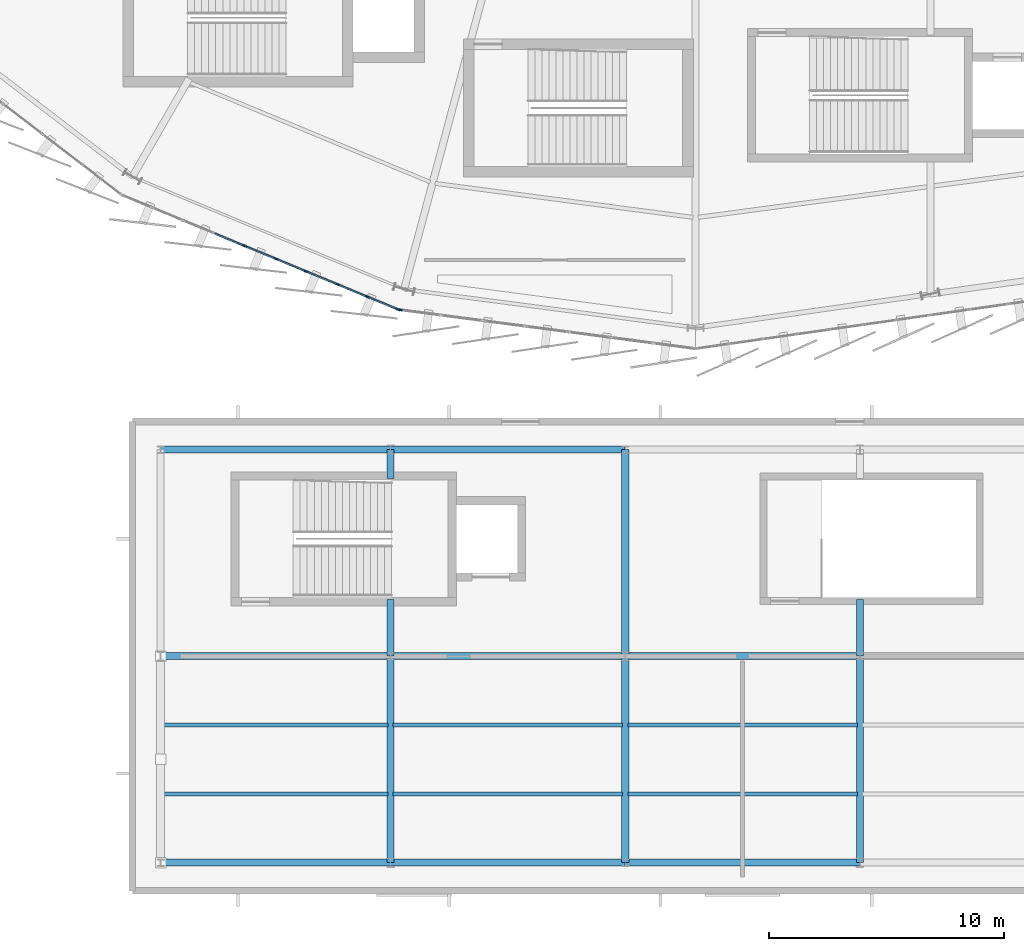
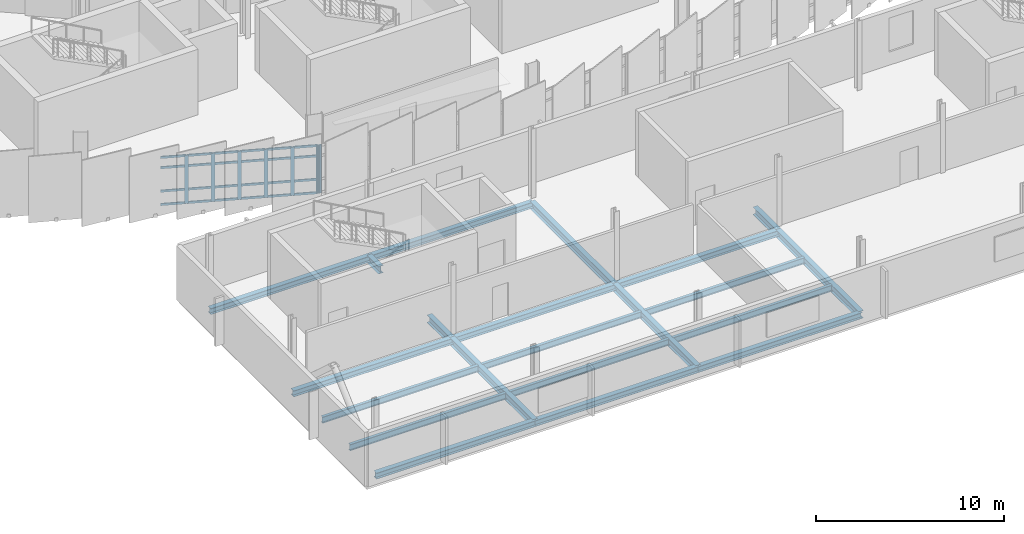
# One storey, part 31 of 120: 31 members, 21 beams, 2 elements without a shape of their own.
"""IFC4 building model written with IfcOpenShell, lengths in metres."""

from ifc_helpers import new_model, si_unit, direction, frame, origin, origin_2d, place, context, subcontext, project, spatial, rectangle, i_section, extrude, material, layer, layer_set, material_profile, profile_set, type_object, element, aggregate, save


model = new_model("IFC4")

# Units and contexts
model_context = context("Model", 3, precision=1e-05, world=origin(), true_north=direction((0.0, 1.0)))
body_context = subcontext(model_context, "Body", "Model", "MODEL_VIEW")
ifc_project = project(units=[si_unit("LENGTHUNIT", "METRE"), si_unit("AREAUNIT", "SQUARE_METRE"), si_unit("VOLUMEUNIT", "CUBIC_METRE"), si_unit("PLANEANGLEUNIT", "RADIAN"), si_unit("MASSUNIT", "GRAM", prefix="KILO")], contexts=[model_context])

# Site, building, storey
site_placement = place(None, origin())
site = spatial("IfcSite", under=ifc_project, at=site_placement, CompositionType="ELEMENT")
building_placement = place(site_placement, origin())
building = spatial("IfcBuilding", under=site, at=building_placement, Name="Sohan Crest Arena", CompositionType="ELEMENT")
storey_placement = place(building_placement, frame((0.0, 0.0, 13.5)))
storey = spatial("IfcBuildingStorey", under=building, at=storey_placement, Name="L03", CompositionType="ELEMENT", Elevation=13.5)

# Curtain wall, members
ifc_material_1 = material(Name="Thermally broken anodised aluminium", Category="aluminium")
ifc_layer_1 = layer(ifc_material_1, 0.18994140625, Name="Thermally broken anodised aluminium")
ifc_layer_set_1 = layer_set([ifc_layer_1], Name="Thermally broken anodised aluminium")
curtain_wall_type_1 = type_object("IfcCurtainWallType", Name="ARC-CW05", PredefinedType="NOTDEFINED", material=ifc_layer_set_1)
curtain_wall_1_placement = place(storey_placement, origin())
curtain_wall_1 = element("IfcCurtainWall", 1, at=curtain_wall_1_placement, inside=storey, type_object=curtain_wall_type_1, Name="Unitised curtain wall CW-088", PredefinedType="NOTDEFINED")
ifc_material_profile_1 = material_profile(ifc_material_1, rectangle(XDim=0.070068359375, YDim=0.199951171875, at=origin_2d()), Name="ALU-MULL 70x200")
ifc_profile_set_1 = profile_set([ifc_material_profile_1], Name="Thermally broken anodised aluminium")
member_type_1 = type_object("IfcMemberType", Name="ARC-CW-ML03", PredefinedType="MULLION", material=ifc_profile_set_1)
member_1_placement = place(storey_placement, frame((78.791748046875, 33.47998046875, 0.0), z_axis=(0.0, 0.0, 1.0), x_axis=(0.382667735827, 0.923886034074, 0.0)))
member_1 = element("IfcMember", 2, at=member_1_placement, type_object=member_type_1, Name="CW-088 mullion 5", PredefinedType="MULLION", context=body_context, shape_type="SweptSolid", body=[
    extrude(rectangle(XDim=0.070068359375, YDim=0.199951171875, at=origin_2d()), origin(), (0.0, 0.0, 1.0), 3.1201171875),
])
member_2_placement = place(storey_placement, frame((80.102294921875, 32.93701171875, 0.0), z_axis=(0.0, 0.0, 1.0), x_axis=(0.382667735827, 0.923886034074, 0.0)))
member_2 = element("IfcMember", 3, at=member_2_placement, type_object=member_type_1, Name="CW-088 mullion 6", PredefinedType="MULLION", context=body_context, shape_type="SweptSolid", body=[
    extrude(rectangle(XDim=0.070068359375, YDim=0.199951171875, at=origin_2d()), origin(), (0.0, 0.0, 1.0), 3.1201171875),
])
member_3_placement = place(storey_placement, frame((81.41259765625, 32.394287109375, 0.0), z_axis=(0.0, 0.0, 1.0), x_axis=(0.382667735827, 0.923886034074, 0.0)))
member_3 = element("IfcMember", 4, at=member_3_placement, type_object=member_type_1, Name="CW-088 mullion 7", PredefinedType="MULLION", context=body_context, shape_type="SweptSolid", body=[
    extrude(rectangle(XDim=0.070068359375, YDim=0.199951171875, at=origin_2d()), origin(), (0.0, 0.0, 1.0), 3.1201171875),
])
member_4_placement = place(storey_placement, frame((82.72314453125, 31.8515625, 0.0), z_axis=(0.0, 0.0, 1.0), x_axis=(0.382667735827, 0.923886034074, 0.0)))
member_4 = element("IfcMember", 5, at=member_4_placement, type_object=member_type_1, Name="CW-088 mullion 8", PredefinedType="MULLION", context=body_context, shape_type="SweptSolid", body=[
    extrude(rectangle(XDim=0.070068359375, YDim=0.199951171875, at=origin_2d()), origin(), (0.0, 0.0, 1.0), 3.1201171875),
])
member_5_placement = place(storey_placement, frame((84.033447265625, 31.308837890625, 0.0), z_axis=(0.0, 0.0, 1.0), x_axis=(0.382667735827, 0.923886034074, 0.0)))
member_5 = element("IfcMember", 6, at=member_5_placement, type_object=member_type_1, Name="CW-088 mullion 9", PredefinedType="MULLION", context=body_context, shape_type="SweptSolid", body=[
    extrude(rectangle(XDim=0.070068359375, YDim=0.199951171875, at=origin_2d()), origin(), (0.0, 0.0, 1.0), 3.1201171875),
])
member_6_placement = place(storey_placement, frame((85.311767578125, 30.779296875, 0.0), z_axis=(0.0, 0.0, 1.0), x_axis=(0.382667735827, 0.923886034074, 0.0)))
member_6 = element("IfcMember", 7, at=member_6_placement, type_object=member_type_1, Name="CW-088 mullion 10", PredefinedType="MULLION", context=body_context, shape_type="SweptSolid", body=[
    extrude(rectangle(XDim=0.070068359375, YDim=0.199951171875, at=origin_2d()), origin(), (0.0, 0.0, 1.0), 3.1201171875),
])

# Curtain wall, member
ifc_layer_2 = layer(ifc_material_1, 0.2099609375, Name="Thermally broken anodised aluminium")
ifc_layer_set_2 = layer_set([ifc_layer_2], Name="Thermally broken anodised aluminium")
curtain_wall_type_2 = type_object("IfcCurtainWallType", Name="ARC-CW06", PredefinedType="NOTDEFINED", material=ifc_layer_set_2)
curtain_wall_2_placement = place(storey_placement, origin())
curtain_wall_2 = element("IfcCurtainWall", 8, at=curtain_wall_2_placement, inside=storey, type_object=curtain_wall_type_2, Name="Unitised curtain wall CW-089", PredefinedType="NOTDEFINED")
ifc_material_profile_2 = material_profile(ifc_material_1, rectangle(XDim=0.074951171875, YDim=0.219970703125, at=origin_2d()), Name="ALU-MULL 75x220")
ifc_profile_set_2 = profile_set([ifc_material_profile_2], Name="Thermally broken anodised aluminium")
member_type_2 = type_object("IfcMemberType", Name="ARC-CW-ML04", PredefinedType="MULLION", material=ifc_profile_set_2)
member_7_placement = place(storey_placement, frame((85.381103515625, 30.760986328125, 0.0), z_axis=(0.0, 0.0, 1.0), x_axis=(0.130511252817, 0.991446828069, 0.0)))
member_7 = element("IfcMember", 9, at=member_7_placement, type_object=member_type_2, Name="CW-089 mullion 1", PredefinedType="MULLION", context=body_context, shape_type="SweptSolid", body=[
    extrude(rectangle(XDim=0.074951171875, YDim=0.219970703125, at=origin_2d()), origin(), (0.0, 0.0, 1.0), 3.1201171875),
])
aggregate(curtain_wall_2, [member_7])

# Member
ifc_material_profile_3 = material_profile(ifc_material_1, rectangle(XDim=0.06494140625, YDim=0.139892578125, at=origin_2d()), Name="ALU-TRAN 65x140")
ifc_profile_set_3 = profile_set([ifc_material_profile_3], Name="Thermally broken anodised aluminium")
member_type_3 = type_object("IfcMemberType", Name="ARC-CW-TR02", PredefinedType="USERDEFINED", material=ifc_profile_set_3)
member_8_placement = place(storey_placement, frame((77.513671875, 34.00927734375, 0.032470703125), z_axis=(0.923862365102, -0.382724875529, 0.0), x_axis=(0.382724875529, 0.923862365102, 0.0)))
member_8 = element("IfcMember", 10, at=member_8_placement, type_object=member_type_3, Name="CW-088 transom 4.1", ObjectType="TRANSOM", PredefinedType="USERDEFINED", context=body_context, shape_type="SweptSolid", body=[
    extrude(rectangle(XDim=0.06494140625, YDim=0.139892578125, at=origin_2d()), origin(), (0.0, 0.0, 1.0), 1.3486328125),
])

member_9_placement = place(storey_placement, frame((77.513671875, 34.00927734375, 0.89990234375), z_axis=(0.923862365102, -0.382724875529, 0.0), x_axis=(0.382724875529, 0.923862365102, 0.0)))
member_9 = element("IfcMember", 11, at=member_9_placement, type_object=member_type_3, Name="CW-088 transom 4.2", ObjectType="TRANSOM", PredefinedType="USERDEFINED", context=body_context, shape_type="SweptSolid", body=[
    extrude(rectangle(XDim=0.06494140625, YDim=0.139892578125, at=origin_2d()), origin(), (0.0, 0.0, 1.0), 1.3486328125),
])

member_10_placement = place(storey_placement, frame((77.513671875, 34.00927734375, 2.419921875), z_axis=(0.923862365102, -0.382724875529, 0.0), x_axis=(0.382724875529, 0.923862365102, 0.0)))
member_10 = element("IfcMember", 12, at=member_10_placement, type_object=member_type_3, Name="CW-088 transom 4.3", ObjectType="TRANSOM", PredefinedType="USERDEFINED", context=body_context, shape_type="SweptSolid", body=[
    extrude(rectangle(XDim=0.06494140625, YDim=0.139892578125, at=origin_2d()), origin(), (0.0, 0.0, 1.0), 1.3486328125),
])

member_11_placement = place(storey_placement, frame((77.513671875, 34.00927734375, 3.08740234375), z_axis=(0.923862365102, -0.382724875529, 0.0), x_axis=(0.382724875529, 0.923862365102, 0.0)))
member_11 = element("IfcMember", 13, at=member_11_placement, type_object=member_type_3, Name="CW-088 transom 4.4", ObjectType="TRANSOM", PredefinedType="USERDEFINED", context=body_context, shape_type="SweptSolid", body=[
    extrude(rectangle(XDim=0.06494140625, YDim=0.139892578125, at=origin_2d()), origin(), (0.0, 0.0, 1.0), 1.3486328125),
])

member_12_placement = place(storey_placement, frame((78.82421875, 33.466552734375, 0.032470703125), z_axis=(0.923835839572, -0.382788899423, 0.0), x_axis=(0.382788899423, 0.923835839572, 0.0)))
member_12 = element("IfcMember", 14, at=member_12_placement, type_object=member_type_3, Name="CW-088 transom 5.1", ObjectType="TRANSOM", PredefinedType="USERDEFINED", context=body_context, shape_type="SweptSolid", body=[
    extrude(rectangle(XDim=0.06494140625, YDim=0.139892578125, at=origin_2d()), origin(), (0.0, 0.0, 1.0), 1.348388671875),
])

member_13_placement = place(storey_placement, frame((78.82421875, 33.466552734375, 0.89990234375), z_axis=(0.923835839572, -0.382788899423, 0.0), x_axis=(0.382788899423, 0.923835839572, 0.0)))
member_13 = element("IfcMember", 15, at=member_13_placement, type_object=member_type_3, Name="CW-088 transom 5.2", ObjectType="TRANSOM", PredefinedType="USERDEFINED", context=body_context, shape_type="SweptSolid", body=[
    extrude(rectangle(XDim=0.06494140625, YDim=0.139892578125, at=origin_2d()), origin(), (0.0, 0.0, 1.0), 1.348388671875),
])

member_14_placement = place(storey_placement, frame((78.82421875, 33.466552734375, 2.419921875), z_axis=(0.923835839572, -0.382788899423, 0.0), x_axis=(0.382788899423, 0.923835839572, 0.0)))
member_14 = element("IfcMember", 16, at=member_14_placement, type_object=member_type_3, Name="CW-088 transom 5.3", ObjectType="TRANSOM", PredefinedType="USERDEFINED", context=body_context, shape_type="SweptSolid", body=[
    extrude(rectangle(XDim=0.06494140625, YDim=0.139892578125, at=origin_2d()), origin(), (0.0, 0.0, 1.0), 1.348388671875),
])

member_15_placement = place(storey_placement, frame((78.82421875, 33.466552734375, 3.08740234375), z_axis=(0.923835839572, -0.382788899423, 0.0), x_axis=(0.382788899423, 0.923835839572, 0.0)))
member_15 = element("IfcMember", 17, at=member_15_placement, type_object=member_type_3, Name="CW-088 transom 5.4", ObjectType="TRANSOM", PredefinedType="USERDEFINED", context=body_context, shape_type="SweptSolid", body=[
    extrude(rectangle(XDim=0.06494140625, YDim=0.139892578125, at=origin_2d()), origin(), (0.0, 0.0, 1.0), 1.348388671875),
])

member_16_placement = place(storey_placement, frame((80.134521484375, 32.923828125, 0.032470703125), z_axis=(0.923862365102, -0.382724875529, 0.0), x_axis=(0.382724875529, 0.923862365102, 0.0)))
member_16 = element("IfcMember", 18, at=member_16_placement, type_object=member_type_3, Name="CW-088 transom 6.1", ObjectType="TRANSOM", PredefinedType="USERDEFINED", context=body_context, shape_type="SweptSolid", body=[
    extrude(rectangle(XDim=0.06494140625, YDim=0.139892578125, at=origin_2d()), origin(), (0.0, 0.0, 1.0), 1.3486328125),
])

member_17_placement = place(storey_placement, frame((80.134521484375, 32.923828125, 0.89990234375), z_axis=(0.923862365102, -0.382724875529, 0.0), x_axis=(0.382724875529, 0.923862365102, 0.0)))
member_17 = element("IfcMember", 19, at=member_17_placement, type_object=member_type_3, Name="CW-088 transom 6.2", ObjectType="TRANSOM", PredefinedType="USERDEFINED", context=body_context, shape_type="SweptSolid", body=[
    extrude(rectangle(XDim=0.06494140625, YDim=0.139892578125, at=origin_2d()), origin(), (0.0, 0.0, 1.0), 1.3486328125),
])

member_18_placement = place(storey_placement, frame((80.134521484375, 32.923828125, 2.419921875), z_axis=(0.923862365102, -0.382724875529, 0.0), x_axis=(0.382724875529, 0.923862365102, 0.0)))
member_18 = element("IfcMember", 20, at=member_18_placement, type_object=member_type_3, Name="CW-088 transom 6.3", ObjectType="TRANSOM", PredefinedType="USERDEFINED", context=body_context, shape_type="SweptSolid", body=[
    extrude(rectangle(XDim=0.06494140625, YDim=0.139892578125, at=origin_2d()), origin(), (0.0, 0.0, 1.0), 1.3486328125),
])

member_19_placement = place(storey_placement, frame((80.134521484375, 32.923828125, 3.08740234375), z_axis=(0.923862365102, -0.382724875529, 0.0), x_axis=(0.382724875529, 0.923862365102, 0.0)))
member_19 = element("IfcMember", 21, at=member_19_placement, type_object=member_type_3, Name="CW-088 transom 6.4", ObjectType="TRANSOM", PredefinedType="USERDEFINED", context=body_context, shape_type="SweptSolid", body=[
    extrude(rectangle(XDim=0.06494140625, YDim=0.139892578125, at=origin_2d()), origin(), (0.0, 0.0, 1.0), 1.3486328125),
])

member_20_placement = place(storey_placement, frame((81.445068359375, 32.380859375, 0.032470703125), z_axis=(0.923899864767, -0.382634342268, 0.0), x_axis=(0.382634342268, 0.923899864767, 0.0)))
member_20 = element("IfcMember", 22, at=member_20_placement, type_object=member_type_3, Name="CW-088 transom 7.1", ObjectType="TRANSOM", PredefinedType="USERDEFINED", context=body_context, shape_type="SweptSolid", body=[
    extrude(rectangle(XDim=0.06494140625, YDim=0.139892578125, at=origin_2d()), origin(), (0.0, 0.0, 1.0), 1.34814453125),
])

member_21_placement = place(storey_placement, frame((81.445068359375, 32.380859375, 0.89990234375), z_axis=(0.923899864767, -0.382634342268, 0.0), x_axis=(0.382634342268, 0.923899864767, 0.0)))
member_21 = element("IfcMember", 23, at=member_21_placement, type_object=member_type_3, Name="CW-088 transom 7.2", ObjectType="TRANSOM", PredefinedType="USERDEFINED", context=body_context, shape_type="SweptSolid", body=[
    extrude(rectangle(XDim=0.06494140625, YDim=0.139892578125, at=origin_2d()), origin(), (0.0, 0.0, 1.0), 1.34814453125),
])

member_22_placement = place(storey_placement, frame((81.445068359375, 32.380859375, 2.419921875), z_axis=(0.923899864767, -0.382634342268, 0.0), x_axis=(0.382634342268, 0.923899864767, 0.0)))
member_22 = element("IfcMember", 24, at=member_22_placement, type_object=member_type_3, Name="CW-088 transom 7.3", ObjectType="TRANSOM", PredefinedType="USERDEFINED", context=body_context, shape_type="SweptSolid", body=[
    extrude(rectangle(XDim=0.06494140625, YDim=0.139892578125, at=origin_2d()), origin(), (0.0, 0.0, 1.0), 1.34814453125),
])

member_23_placement = place(storey_placement, frame((81.445068359375, 32.380859375, 3.08740234375), z_axis=(0.923899864767, -0.382634342268, 0.0), x_axis=(0.382634342268, 0.923899864767, 0.0)))
member_23 = element("IfcMember", 25, at=member_23_placement, type_object=member_type_3, Name="CW-088 transom 7.4", ObjectType="TRANSOM", PredefinedType="USERDEFINED", context=body_context, shape_type="SweptSolid", body=[
    extrude(rectangle(XDim=0.06494140625, YDim=0.139892578125, at=origin_2d()), origin(), (0.0, 0.0, 1.0), 1.34814453125),
])

member_24_placement = place(storey_placement, frame((82.75537109375, 31.838134765625, 0.032470703125), z_axis=(0.923926370716, -0.382570335356, 0.0), x_axis=(0.382570335356, 0.923926370716, 0.0)))
member_24 = element("IfcMember", 26, at=member_24_placement, type_object=member_type_3, Name="CW-088 transom 8.1", ObjectType="TRANSOM", PredefinedType="USERDEFINED", context=body_context, shape_type="SweptSolid", body=[
    extrude(rectangle(XDim=0.06494140625, YDim=0.139892578125, at=origin_2d()), origin(), (0.0, 0.0, 1.0), 1.348388671875),
])

member_25_placement = place(storey_placement, frame((82.75537109375, 31.838134765625, 0.89990234375), z_axis=(0.923926370716, -0.382570335356, 0.0), x_axis=(0.382570335356, 0.923926370716, 0.0)))
member_25 = element("IfcMember", 27, at=member_25_placement, type_object=member_type_3, Name="CW-088 transom 8.2", ObjectType="TRANSOM", PredefinedType="USERDEFINED", context=body_context, shape_type="SweptSolid", body=[
    extrude(rectangle(XDim=0.06494140625, YDim=0.139892578125, at=origin_2d()), origin(), (0.0, 0.0, 1.0), 1.348388671875),
])

member_26_placement = place(storey_placement, frame((82.75537109375, 31.838134765625, 2.419921875), z_axis=(0.923926370716, -0.382570335356, 0.0), x_axis=(0.382570335356, 0.923926370716, 0.0)))
member_26 = element("IfcMember", 28, at=member_26_placement, type_object=member_type_3, Name="CW-088 transom 8.3", ObjectType="TRANSOM", PredefinedType="USERDEFINED", context=body_context, shape_type="SweptSolid", body=[
    extrude(rectangle(XDim=0.06494140625, YDim=0.139892578125, at=origin_2d()), origin(), (0.0, 0.0, 1.0), 1.348388671875),
])

member_27_placement = place(storey_placement, frame((82.75537109375, 31.838134765625, 3.08740234375), z_axis=(0.923926370716, -0.382570335356, 0.0), x_axis=(0.382570335356, 0.923926370716, 0.0)))
member_27 = element("IfcMember", 29, at=member_27_placement, type_object=member_type_3, Name="CW-088 transom 8.4", ObjectType="TRANSOM", PredefinedType="USERDEFINED", context=body_context, shape_type="SweptSolid", body=[
    extrude(rectangle(XDim=0.06494140625, YDim=0.139892578125, at=origin_2d()), origin(), (0.0, 0.0, 1.0), 1.348388671875),
])

member_28_placement = place(storey_placement, frame((84.06591796875, 31.29541015625, 0.032470703125), z_axis=(0.923855963606, -0.38274032778, 0.0), x_axis=(0.38274032778, 0.923855963606, 0.0)))
member_28 = element("IfcMember", 30, at=member_28_placement, type_object=member_type_3, Name="CW-088 transom 9.1", ObjectType="TRANSOM", PredefinedType="USERDEFINED", context=body_context, shape_type="SweptSolid", body=[
    extrude(rectangle(XDim=0.06494140625, YDim=0.139892578125, at=origin_2d()), origin(), (0.0, 0.0, 1.0), 1.3134765625),
])

member_29_placement = place(storey_placement, frame((84.06591796875, 31.29541015625, 0.89990234375), z_axis=(0.923855963606, -0.38274032778, 0.0), x_axis=(0.38274032778, 0.923855963606, 0.0)))
member_29 = element("IfcMember", 31, at=member_29_placement, type_object=member_type_3, Name="CW-088 transom 9.2", ObjectType="TRANSOM", PredefinedType="USERDEFINED", context=body_context, shape_type="SweptSolid", body=[
    extrude(rectangle(XDim=0.06494140625, YDim=0.139892578125, at=origin_2d()), origin(), (0.0, 0.0, 1.0), 1.3134765625),
])

member_30_placement = place(storey_placement, frame((84.06591796875, 31.29541015625, 2.419921875), z_axis=(0.923855963606, -0.38274032778, 0.0), x_axis=(0.38274032778, 0.923855963606, 0.0)))
member_30 = element("IfcMember", 32, at=member_30_placement, type_object=member_type_3, Name="CW-088 transom 9.3", ObjectType="TRANSOM", PredefinedType="USERDEFINED", context=body_context, shape_type="SweptSolid", body=[
    extrude(rectangle(XDim=0.06494140625, YDim=0.139892578125, at=origin_2d()), origin(), (0.0, 0.0, 1.0), 1.3134765625),
])

member_31_placement = place(storey_placement, frame((84.06591796875, 31.29541015625, 3.08740234375), z_axis=(0.923855963606, -0.38274032778, 0.0), x_axis=(0.38274032778, 0.923855963606, 0.0)))
member_31 = element("IfcMember", 33, at=member_31_placement, type_object=member_type_3, Name="CW-088 transom 9.4", ObjectType="TRANSOM", PredefinedType="USERDEFINED", context=body_context, shape_type="SweptSolid", body=[
    extrude(rectangle(XDim=0.06494140625, YDim=0.139892578125, at=origin_2d()), origin(), (0.0, 0.0, 1.0), 1.3134765625),
])

aggregate(curtain_wall_1, [member_1, member_2, member_3, member_4, member_5, member_6, member_8, member_9, member_10, member_11, member_12, member_13, member_14, member_15, member_16, member_17, member_18, member_19, member_20, member_21, member_22, member_23, member_24, member_25, member_26, member_27, member_28, member_29, member_30, member_31])

# Beams
ifc_material_2 = material(Name="Steel S355", Category="steel")
ifc_material_profile_4 = material_profile(ifc_material_2, i_section(OverallWidth=0.179931640625, OverallDepth=0.39990234375, WebThickness=0.008544921875, FlangeThickness=0.013427734375, at=origin_2d()), Name="IPE 400")
ifc_profile_set_4 = profile_set([ifc_material_profile_4], Name="Steel S355")
beam_type_1 = type_object("IfcBeamType", Name="STR-BM-B03", PredefinedType="JOIST", material=ifc_profile_set_4)
for number, where, z_axis, x_axis, name in (
    (34, (75.31005859375, 10.133056640625, -0.449951171875), (1.0, 0.0, 0.0), (0.0, 1.0, 0.0), "Structural beam J-L03-2724"),
    (35, (75.31005859375, 13.06689453125, -0.449951171875), (1.0, 0.0, 0.0), (0.0, 1.0, 0.0), "Structural beam J-L03-2725"),
):
    element("IfcBeam", number, at=place(storey_placement, frame(where, z_axis=z_axis, x_axis=x_axis)), inside=storey, type_object=beam_type_1, Name=name, PredefinedType="JOIST", context=body_context, shape_type="SweptSolid", body=[
        extrude(i_section(OverallWidth=0.179931640625, OverallDepth=0.39990234375, WebThickness=0.008544921875, FlangeThickness=0.013427734375, at=origin_2d()), origin(), (0.0, 0.0, 1.0), 9.579833984375),
    ])
for number, where, z_axis, x_axis, name in (
    (36, (85.110107421875, 10.133056640625, -0.449951171875), (1.0, 0.0, 0.0), (0.0, 1.0, 0.0), "Structural beam J-L03-2727"),
    (37, (85.110107421875, 13.06689453125, -0.449951171875), (1.0, 0.0, 0.0), (0.0, 1.0, 0.0), "Structural beam J-L03-2728"),
    (38, (95.110107421875, 10.133056640625, -0.449951171875), (1.0, 0.0, 0.0), (0.0, 1.0, 0.0), "Structural beam J-L03-2730"),
    (39, (95.110107421875, 13.06689453125, -0.449951171875), (1.0, 0.0, 0.0), (0.0, 1.0, 0.0), "Structural beam J-L03-2731"),
):
    element("IfcBeam", number, at=place(storey_placement, frame(where, z_axis=z_axis, x_axis=x_axis)), inside=storey, type_object=beam_type_1, Name=name, PredefinedType="JOIST", context=body_context, shape_type="SweptSolid", body=[
        extrude(i_section(OverallWidth=0.179931640625, OverallDepth=0.39990234375, WebThickness=0.008544921875, FlangeThickness=0.013427734375, at=origin_2d()), origin(), (0.0, 0.0, 1.0), 9.77978515625),
    ])
ifc_material_profile_5 = material_profile(ifc_material_2, i_section(OverallWidth=0.300048828125, OverallDepth=0.389892578125, WebThickness=0.010986328125, FlangeThickness=0.01904296875, at=origin_2d()), Name="HEA 400")
ifc_profile_set_5 = profile_set([ifc_material_profile_5], Name="Steel S355")
beam_type_2 = type_object("IfcBeamType", Name="STR-BM-B09", PredefinedType="BEAM", material=ifc_profile_set_5)
beam_1_placement = place(storey_placement, frame((75.199951171875, 7.199951171875, -0.445068359375), z_axis=(1.0, 0.0, 0.0), x_axis=(0.0, 1.0, 0.0)))
element("IfcBeam", 40, at=beam_1_placement, inside=storey, type_object=beam_type_2, Name="Structural beam G-L03-2723", PredefinedType="BEAM", context=body_context, shape_type="SweptSolid", body=[
    extrude(i_section(OverallWidth=0.300048828125, OverallDepth=0.389892578125, WebThickness=0.010986328125, FlangeThickness=0.01904296875, at=origin_2d()), origin(), (0.0, 0.0, 1.0), 9.800048828125),
])
for number, where, z_axis, x_axis, name in (
    (41, (85.0, 7.199951171875, -0.445068359375), (1.0, 0.0, 0.0), (0.0, 1.0, 0.0), "Structural beam G-L03-2726"),
    (42, (95.0, 7.199951171875, -0.445068359375), (1.0, 0.0, 0.0), (0.0, 1.0, 0.0), "Structural beam G-L03-2729"),
):
    element("IfcBeam", number, at=place(storey_placement, frame(where, z_axis=z_axis, x_axis=x_axis)), inside=storey, type_object=beam_type_2, Name=name, PredefinedType="BEAM", context=body_context, shape_type="SweptSolid", body=[
        extrude(i_section(OverallWidth=0.300048828125, OverallDepth=0.389892578125, WebThickness=0.010986328125, FlangeThickness=0.01904296875, at=origin_2d()), origin(), (0.0, 0.0, 1.0), 10.0),
    ])
beam_2_placement = place(storey_placement, frame((75.199951171875, 16.0, -0.445068359375), z_axis=(1.0, 0.0, 0.0), x_axis=(0.0, 1.0, 0.0)))
element("IfcBeam", 43, at=beam_2_placement, inside=storey, type_object=beam_type_2, Name="Structural beam G-L03-2750", PredefinedType="BEAM", context=body_context, shape_type="SweptSolid", body=[
    extrude(i_section(OverallWidth=0.300048828125, OverallDepth=0.389892578125, WebThickness=0.010986328125, FlangeThickness=0.01904296875, at=origin_2d()), origin(), (0.0, 0.0, 1.0), 9.800048828125),
])
for number, where, z_axis, x_axis, name in (
    (44, (85.0, 16.0, -0.445068359375), (1.0, 0.0, 0.0), (0.0, 1.0, 0.0), "Structural beam G-L03-2751"),
    (45, (95.0, 16.0, -0.445068359375), (1.0, 0.0, 0.0), (0.0, 1.0, 0.0), "Structural beam G-L03-2752"),
):
    element("IfcBeam", number, at=place(storey_placement, frame(where, z_axis=z_axis, x_axis=x_axis)), inside=storey, type_object=beam_type_2, Name=name, PredefinedType="BEAM", context=body_context, shape_type="SweptSolid", body=[
        extrude(i_section(OverallWidth=0.300048828125, OverallDepth=0.389892578125, WebThickness=0.010986328125, FlangeThickness=0.01904296875, at=origin_2d()), origin(), (0.0, 0.0, 1.0), 10.0),
    ])
beam_3_placement = place(storey_placement, frame((75.199951171875, 24.800048828125, -0.445068359375), z_axis=(1.0, 0.0, 0.0), x_axis=(0.0, 1.0, 0.0)))
element("IfcBeam", 46, at=beam_3_placement, inside=storey, type_object=beam_type_2, Name="Structural beam G-L03-2761", PredefinedType="BEAM", context=body_context, shape_type="SweptSolid", body=[
    extrude(i_section(OverallWidth=0.300048828125, OverallDepth=0.389892578125, WebThickness=0.010986328125, FlangeThickness=0.01904296875, at=origin_2d()), origin(), (0.0, 0.0, 1.0), 9.800048828125),
])
beam_4_placement = place(storey_placement, frame((85.0, 24.800048828125, -0.445068359375), z_axis=(1.0, 0.0, 0.0), x_axis=(0.0, 1.0, 0.0)))
element("IfcBeam", 47, at=beam_4_placement, inside=storey, type_object=beam_type_2, Name="Structural beam G-L03-2762", PredefinedType="BEAM", context=body_context, shape_type="SweptSolid", body=[
    extrude(i_section(OverallWidth=0.300048828125, OverallDepth=0.389892578125, WebThickness=0.010986328125, FlangeThickness=0.01904296875, at=origin_2d()), origin(), (0.0, 0.0, 1.0), 10.0),
])
ifc_material_profile_6 = material_profile(ifc_material_2, i_section(OverallWidth=0.300048828125, OverallDepth=0.489990234375, WebThickness=0.011962890625, FlangeThickness=0.02294921875, at=origin_2d()), Name="HEA 500")
ifc_profile_set_6 = profile_set([ifc_material_profile_6], Name="Steel S355")
beam_type_3 = type_object("IfcBeamType", Name="STR-BM-B10", PredefinedType="BEAM", material=ifc_profile_set_6)
beam_5_placement = place(storey_placement, frame((85.0, 7.199951171875, -0.4951171875), z_axis=(0.0, 1.0, 0.0), x_axis=(-1.0, 0.0, 0.0)))
element("IfcBeam", 48, at=beam_5_placement, inside=storey, type_object=beam_type_3, Name="Structural beam G-L03-2701", PredefinedType="BEAM", context=body_context, shape_type="SweptSolid", body=[
    extrude(i_section(OverallWidth=0.300048828125, OverallDepth=0.489990234375, WebThickness=0.011962890625, FlangeThickness=0.02294921875, at=origin_2d()), origin(), (0.0, 0.0, 1.0), 8.800048828125),
])
beam_6_placement = place(storey_placement, frame((85.0, 16.0, -0.4951171875), z_axis=(0.0, 1.0, 0.0), x_axis=(-1.0, 0.0, 0.0)))
element("IfcBeam", 49, at=beam_6_placement, inside=storey, type_object=beam_type_3, Name="Structural beam G-L03-2702", PredefinedType="BEAM", context=body_context, shape_type="SweptSolid", body=[
    extrude(i_section(OverallWidth=0.300048828125, OverallDepth=0.489990234375, WebThickness=0.011962890625, FlangeThickness=0.02294921875, at=origin_2d()), origin(), (0.0, 0.0, 1.0), 2.419921875),
])
beam_7_placement = place(storey_placement, frame((85.0, 23.580078125, -0.4951171875), z_axis=(0.0, 1.0, 0.0), x_axis=(-1.0, 0.0, 0.0)))
element("IfcBeam", 50, at=beam_7_placement, inside=storey, type_object=beam_type_3, Name="Structural beam G-L03-2703", PredefinedType="BEAM", context=body_context, shape_type="SweptSolid", body=[
    extrude(i_section(OverallWidth=0.300048828125, OverallDepth=0.489990234375, WebThickness=0.011962890625, FlangeThickness=0.02294921875, at=origin_2d()), origin(), (0.0, 0.0, 1.0), 1.219970703125),
])
for number, where, z_axis, x_axis, name in (
    (51, (95.0, 7.199951171875, -0.4951171875), (0.0, 1.0, 0.0), (-1.0, 0.0, 0.0), "Structural beam G-L03-2704"),
    (52, (95.0, 16.0, -0.4951171875), (0.0, 1.0, 0.0), (-1.0, 0.0, 0.0), "Structural beam G-L03-2705"),
    (53, (105.0, 7.199951171875, -0.4951171875), (0.0, 1.0, 0.0), (-1.0, 0.0, 0.0), "Structural beam G-L03-2706"),
):
    element("IfcBeam", number, at=place(storey_placement, frame(where, z_axis=z_axis, x_axis=x_axis)), inside=storey, type_object=beam_type_3, Name=name, PredefinedType="BEAM", context=body_context, shape_type="SweptSolid", body=[
        extrude(i_section(OverallWidth=0.300048828125, OverallDepth=0.489990234375, WebThickness=0.011962890625, FlangeThickness=0.02294921875, at=origin_2d()), origin(), (0.0, 0.0, 1.0), 8.800048828125),
    ])
beam_8_placement = place(storey_placement, frame((105.0, 16.0, -0.4951171875), z_axis=(0.0, 1.0, 0.0), x_axis=(-1.0, 0.0, 0.0)))
element("IfcBeam", 54, at=beam_8_placement, inside=storey, type_object=beam_type_3, Name="Structural beam G-L03-2707", PredefinedType="BEAM", context=body_context, shape_type="SweptSolid", body=[
    extrude(i_section(OverallWidth=0.300048828125, OverallDepth=0.489990234375, WebThickness=0.011962890625, FlangeThickness=0.02294921875, at=origin_2d()), origin(), (0.0, 0.0, 1.0), 2.419921875),
])

save(model, "model.ifc")
